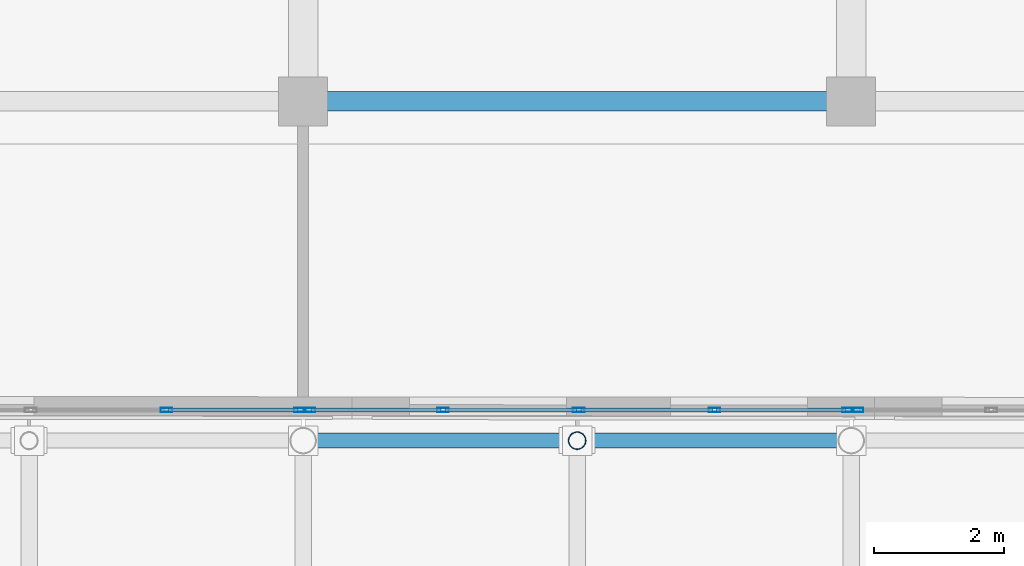
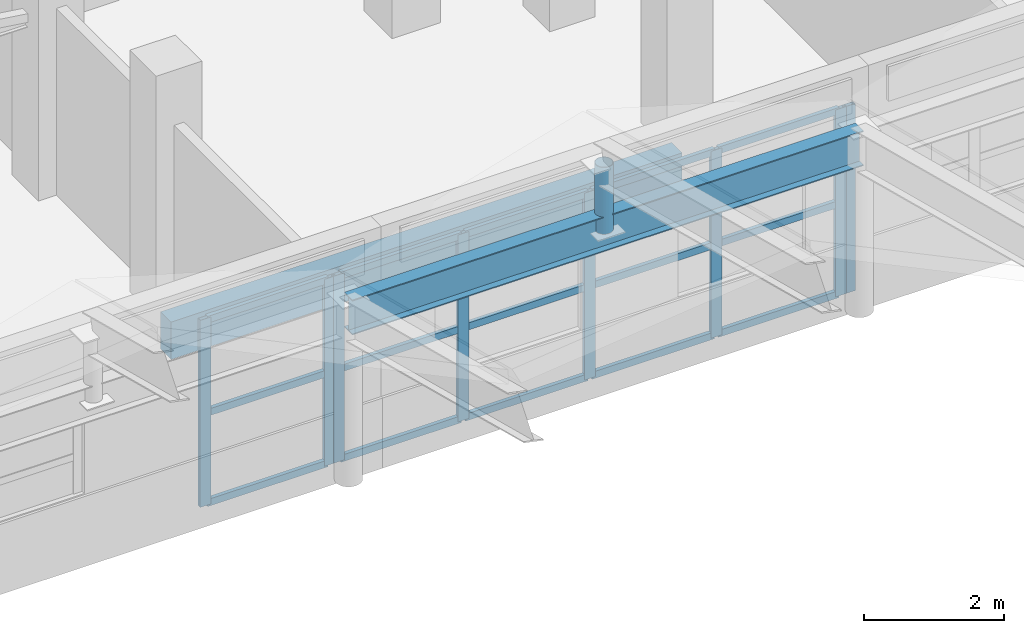
# One storey, part 87 of 184: 24 members, 2 beams, 3 elements without a shape of their own.
"""IFC4 building model written with IfcOpenShell, lengths in metres."""

from ifc_helpers import new_model, si_unit, direction, frame, origin, origin_2d, place, context, subcontext, project, spatial, rectangle, hollow_rectangle, hollow_circle, i_section, extrude, material, material_profile, profile_set, type_object, element, aggregate, save


model = new_model("IFC4")

# Units and contexts
model_context = context("Model", 3, precision=1e-05, world=origin(), true_north=direction((0.0, 1.0)))
body_context = subcontext(model_context, "Body", "Model", "MODEL_VIEW")
ifc_project = project(units=[si_unit("LENGTHUNIT", "METRE"), si_unit("AREAUNIT", "SQUARE_METRE"), si_unit("VOLUMEUNIT", "CUBIC_METRE"), si_unit("PLANEANGLEUNIT", "RADIAN"), si_unit("MASSUNIT", "GRAM", prefix="KILO")], contexts=[model_context])

# Site, building, storey
site_placement = place(None, origin())
site = spatial("IfcSite", under=ifc_project, at=site_placement, CompositionType="ELEMENT")
building_placement = place(site_placement, origin())
building = spatial("IfcBuilding", under=site, at=building_placement, Name="Selatvlak General Hospital", CompositionType="ELEMENT")
storey_placement = place(building_placement, frame((0.0, 0.0, 15.0)))
storey = spatial("IfcBuildingStorey", under=building, at=storey_placement, Name="L03", CompositionType="ELEMENT", Elevation=15.0)

# Beams
ifc_material_1 = material(Name="Steel S355", Category="steel")
ifc_material_profile_1 = material_profile(ifc_material_1, i_section(OverallWidth=0.228271484375, OverallDepth=0.607666015625, WebThickness=0.010986328125, FlangeThickness=0.017333984375, at=origin_2d()), Name="UB 610x229x113")
ifc_profile_set_1 = profile_set([ifc_material_profile_1], Name="Steel S355")
beam_type_1 = type_object("IfcBeamType", Name="BM-RF4", PredefinedType="BEAM", material=ifc_profile_set_1)
beam_1_placement = place(storey_placement, frame((64.800048828125, 83.449951171875, 2.87109375), z_axis=(1.0, 0.0, 0.0), x_axis=(0.0, 1.0, 0.0)))
element("IfcBeam", 1, at=beam_1_placement, inside=storey, type_object=beam_type_1, Name="Folded roof N valley girder 6", PredefinedType="BEAM", context=body_context, shape_type="SweptSolid", body=[
    extrude(i_section(OverallWidth=0.228271484375, OverallDepth=0.607666015625, WebThickness=0.010986328125, FlangeThickness=0.017333984375, at=origin_2d()), origin(), (0.0, 0.0, 1.0), 8.39990234375),
])
ifc_material_2 = material(Name="Concrete C40/50", Category="concrete")
ifc_material_profile_2 = material_profile(ifc_material_2, rectangle(XDim=0.300048828125, YDim=0.64990234375, at=origin_2d()), Name="RC-SP 300x650")
ifc_profile_set_2 = profile_set([ifc_material_profile_2], Name="Concrete C40/50")
beam_type_2 = type_object("IfcBeamType", Name="BM-SP1", PredefinedType="SPANDREL", material=ifc_profile_set_2)
beam_2_placement = place(storey_placement, frame((64.800048828125, 88.64990234375, -0.6650390625), z_axis=(1.0, 0.0, 0.0), x_axis=(0.0, 1.0, 0.0)))
element("IfcBeam", 2, at=beam_2_placement, inside=storey, type_object=beam_type_2, Name="Beam BMR-L03-1188", PredefinedType="SPANDREL", context=body_context, shape_type="SweptSolid", body=[
    extrude(rectangle(XDim=0.300048828125, YDim=0.64990234375, at=origin_2d()), origin(), (0.0, 0.0, 1.0), 8.39990234375),
])

# Curtain wall, members
ifc_material_3 = material(Name="Solar-control Low-E double glazing", Category="glass")
curtain_wall_type = type_object("IfcCurtainWallType", Name="CW-CW-04", PredefinedType="USERDEFINED", material=ifc_material_3)
curtain_wall_1_placement = place(storey_placement, origin())
curtain_wall_1 = element("IfcCurtainWall", 3, at=curtain_wall_1_placement, inside=storey, type_object=curtain_wall_type, Name="Glazed facade curtain wall CW-L03-0720", ObjectType="STICK GLAZING WALL", PredefinedType="USERDEFINED")
ifc_material_4 = material(Name="Dark anodised aluminium mullion", Category="aluminium")
ifc_material_profile_3 = material_profile(ifc_material_4, hollow_rectangle(XDim=0.06494140625, YDim=0.179931640625, WallThickness=0.00439453125, at=origin_2d()), Name="AL-MUL 65x180x4.5")
ifc_profile_set_3 = profile_set([ifc_material_profile_3], Name="Dark anodised aluminium mullion")
member_type_1 = type_object("IfcMemberType", Name="CWM-02", PredefinedType="MULLION", material=ifc_profile_set_3)
member_1_placement = place(storey_placement, frame((62.705078125, 83.919921875, 0.0), z_axis=(0.0, 0.0, 1.0), x_axis=(0.0, 1.0, 0.0)))
member_1 = element("IfcMember", 4, at=member_1_placement, type_object=member_type_1, Name="CW-04 mullion 4", PredefinedType="MULLION", context=body_context, shape_type="SweptSolid", body=[
    extrude(hollow_rectangle(XDim=0.06494140625, YDim=0.179931640625, WallThickness=0.00439453125, at=origin_2d()), origin(), (0.0, 0.0, 1.0), 3.25),
])
member_2_placement = place(storey_placement, frame((64.75244140625, 83.919921875, 0.0), z_axis=(0.0, 0.0, 1.0), x_axis=(0.0, 1.0, 0.0)))
member_2 = element("IfcMember", 5, at=member_2_placement, type_object=member_type_1, Name="CW-04 mullion 5", PredefinedType="MULLION", context=body_context, shape_type="SweptSolid", body=[
    extrude(hollow_rectangle(XDim=0.06494140625, YDim=0.179931640625, WallThickness=0.00439453125, at=origin_2d()), origin(), (0.0, 0.0, 1.0), 3.25),
])

curtain_wall_2_placement = place(storey_placement, origin())
curtain_wall_2 = element("IfcCurtainWall", 6, at=curtain_wall_2_placement, inside=storey, type_object=curtain_wall_type, Name="Glazed facade curtain wall CW-L03-0721", ObjectType="STICK GLAZING WALL", PredefinedType="USERDEFINED")
member_3_placement = place(storey_placement, frame((64.8974609375, 83.919921875, 0.0), z_axis=(0.0, 0.0, 1.0), x_axis=(0.0, 1.0, 0.0)))
member_3 = element("IfcMember", 7, at=member_3_placement, type_object=member_type_1, Name="CW-04 mullion 1", PredefinedType="MULLION", context=body_context, shape_type="SweptSolid", body=[
    extrude(hollow_rectangle(XDim=0.06494140625, YDim=0.179931640625, WallThickness=0.00439453125, at=origin_2d()), origin(), (0.0, 0.0, 1.0), 3.25),
])
member_4_placement = place(storey_placement, frame((66.945068359375, 83.919921875, 0.0), z_axis=(0.0, 0.0, 1.0), x_axis=(0.0, 1.0, 0.0)))
member_4 = element("IfcMember", 8, at=member_4_placement, type_object=member_type_1, Name="CW-04 mullion 2", PredefinedType="MULLION", context=body_context, shape_type="SweptSolid", body=[
    extrude(hollow_rectangle(XDim=0.06494140625, YDim=0.179931640625, WallThickness=0.00439453125, at=origin_2d()), origin(), (0.0, 0.0, 1.0), 3.25),
])
member_5_placement = place(storey_placement, frame((69.02490234375, 83.919921875, 0.0), z_axis=(0.0, 0.0, 1.0), x_axis=(0.0, 1.0, 0.0)))
member_5 = element("IfcMember", 9, at=member_5_placement, type_object=member_type_1, Name="CW-04 mullion 3", PredefinedType="MULLION", context=body_context, shape_type="SweptSolid", body=[
    extrude(hollow_rectangle(XDim=0.06494140625, YDim=0.179931640625, WallThickness=0.00439453125, at=origin_2d()), origin(), (0.0, 0.0, 1.0), 3.25),
])
member_6_placement = place(storey_placement, frame((71.10498046875, 83.919921875, 0.0), z_axis=(0.0, 0.0, 1.0), x_axis=(0.0, 1.0, 0.0)))
member_6 = element("IfcMember", 10, at=member_6_placement, type_object=member_type_1, Name="CW-04 mullion 4", PredefinedType="MULLION", context=body_context, shape_type="SweptSolid", body=[
    extrude(hollow_rectangle(XDim=0.06494140625, YDim=0.179931640625, WallThickness=0.00439453125, at=origin_2d()), origin(), (0.0, 0.0, 1.0), 3.25),
])
member_7_placement = place(storey_placement, frame((73.152587890625, 83.919921875, 0.0), z_axis=(0.0, 0.0, 1.0), x_axis=(0.0, 1.0, 0.0)))
member_7 = element("IfcMember", 11, at=member_7_placement, type_object=member_type_1, Name="CW-04 mullion 5", PredefinedType="MULLION", context=body_context, shape_type="SweptSolid", body=[
    extrude(hollow_rectangle(XDim=0.06494140625, YDim=0.179931640625, WallThickness=0.00439453125, at=origin_2d()), origin(), (0.0, 0.0, 1.0), 3.25),
])

# Curtain wall, member
curtain_wall_3_placement = place(storey_placement, origin())
curtain_wall_3 = element("IfcCurtainWall", 12, at=curtain_wall_3_placement, inside=storey, type_object=curtain_wall_type, Name="Glazed facade curtain wall CW-L03-0722", ObjectType="STICK GLAZING WALL", PredefinedType="USERDEFINED")
member_8_placement = place(storey_placement, frame((73.297607421875, 83.919921875, 0.0), z_axis=(0.0, 0.0, 1.0), x_axis=(0.0, 1.0, 0.0)))
member_8 = element("IfcMember", 13, at=member_8_placement, type_object=member_type_1, Name="CW-04 mullion 1", PredefinedType="MULLION", context=body_context, shape_type="SweptSolid", body=[
    extrude(hollow_rectangle(XDim=0.06494140625, YDim=0.179931640625, WallThickness=0.00439453125, at=origin_2d()), origin(), (0.0, 0.0, 1.0), 3.25),
])
aggregate(curtain_wall_3, [member_8])

# Member
ifc_material_profile_4 = material_profile(ifc_material_4, hollow_rectangle(XDim=0.06494140625, YDim=0.1201171875, WallThickness=0.00390625, at=origin_2d()), Name="AL-TRN 65x120x4")
ifc_profile_set_4 = profile_set([ifc_material_profile_4], Name="Dark anodised aluminium mullion")
member_type_2 = type_object("IfcMemberType", Name="CWT-01", PredefinedType="USERDEFINED", material=ifc_profile_set_4)
member_9_placement = place(storey_placement, frame((62.737548828125, 83.919921875, 0.032470703125), z_axis=(1.0, 0.0, 0.0), x_axis=(0.0, 1.0, 0.0)))
member_9 = element("IfcMember", 14, at=member_9_placement, type_object=member_type_2, Name="CW-04 transom 4.1", ObjectType="TRANSOM", PredefinedType="USERDEFINED", context=body_context, shape_type="SweptSolid", body=[
    extrude(hollow_rectangle(XDim=0.06494140625, YDim=0.1201171875, WallThickness=0.00390625, at=origin_2d()), origin(), (0.0, 0.0, 1.0), 1.982421875),
])

member_10_placement = place(storey_placement, frame((62.737548828125, 83.919921875, 1.60009765625), z_axis=(1.0, 0.0, 0.0), x_axis=(0.0, 1.0, 0.0)))
member_10 = element("IfcMember", 15, at=member_10_placement, type_object=member_type_2, Name="CW-04 transom 4.2", ObjectType="TRANSOM", PredefinedType="USERDEFINED", context=body_context, shape_type="SweptSolid", body=[
    extrude(hollow_rectangle(XDim=0.06494140625, YDim=0.1201171875, WallThickness=0.00390625, at=origin_2d()), origin(), (0.0, 0.0, 1.0), 1.982421875),
])

member_11_placement = place(storey_placement, frame((62.737548828125, 83.919921875, 3.217529296875), z_axis=(1.0, 0.0, 0.0), x_axis=(0.0, 1.0, 0.0)))
member_11 = element("IfcMember", 16, at=member_11_placement, type_object=member_type_2, Name="CW-04 transom 4.3", ObjectType="TRANSOM", PredefinedType="USERDEFINED", context=body_context, shape_type="SweptSolid", body=[
    extrude(hollow_rectangle(XDim=0.06494140625, YDim=0.1201171875, WallThickness=0.00390625, at=origin_2d()), origin(), (0.0, 0.0, 1.0), 1.982421875),
])

aggregate(curtain_wall_1, [member_1, member_2, member_9, member_10, member_11])

member_12_placement = place(storey_placement, frame((64.929931640625, 83.919921875, 0.032470703125), z_axis=(1.0, 0.0, 0.0), x_axis=(0.0, 1.0, 0.0)))
member_12 = element("IfcMember", 17, at=member_12_placement, type_object=member_type_2, Name="CW-04 transom 1.1", ObjectType="TRANSOM", PredefinedType="USERDEFINED", context=body_context, shape_type="SweptSolid", body=[
    extrude(hollow_rectangle(XDim=0.06494140625, YDim=0.1201171875, WallThickness=0.00390625, at=origin_2d()), origin(), (0.0, 0.0, 1.0), 1.982666015625),
])

member_13_placement = place(storey_placement, frame((64.929931640625, 83.919921875, 1.60009765625), z_axis=(1.0, 0.0, 0.0), x_axis=(0.0, 1.0, 0.0)))
member_13 = element("IfcMember", 18, at=member_13_placement, type_object=member_type_2, Name="CW-04 transom 1.2", ObjectType="TRANSOM", PredefinedType="USERDEFINED", context=body_context, shape_type="SweptSolid", body=[
    extrude(hollow_rectangle(XDim=0.06494140625, YDim=0.1201171875, WallThickness=0.00390625, at=origin_2d()), origin(), (0.0, 0.0, 1.0), 1.982666015625),
])

member_14_placement = place(storey_placement, frame((64.929931640625, 83.919921875, 3.217529296875), z_axis=(1.0, 0.0, 0.0), x_axis=(0.0, 1.0, 0.0)))
member_14 = element("IfcMember", 19, at=member_14_placement, type_object=member_type_2, Name="CW-04 transom 1.3", ObjectType="TRANSOM", PredefinedType="USERDEFINED", context=body_context, shape_type="SweptSolid", body=[
    extrude(hollow_rectangle(XDim=0.06494140625, YDim=0.1201171875, WallThickness=0.00390625, at=origin_2d()), origin(), (0.0, 0.0, 1.0), 1.982666015625),
])

member_15_placement = place(storey_placement, frame((66.9775390625, 83.919921875, 0.032470703125), z_axis=(1.0, 0.0, 0.0), x_axis=(0.0, 1.0, 0.0)))
member_15 = element("IfcMember", 20, at=member_15_placement, type_object=member_type_2, Name="CW-04 transom 2.1", ObjectType="TRANSOM", PredefinedType="USERDEFINED", context=body_context, shape_type="SweptSolid", body=[
    extrude(hollow_rectangle(XDim=0.06494140625, YDim=0.1201171875, WallThickness=0.00390625, at=origin_2d()), origin(), (0.0, 0.0, 1.0), 2.014892578125),
])

member_16_placement = place(storey_placement, frame((66.9775390625, 83.919921875, 1.60009765625), z_axis=(1.0, 0.0, 0.0), x_axis=(0.0, 1.0, 0.0)))
member_16 = element("IfcMember", 21, at=member_16_placement, type_object=member_type_2, Name="CW-04 transom 2.2", ObjectType="TRANSOM", PredefinedType="USERDEFINED", context=body_context, shape_type="SweptSolid", body=[
    extrude(hollow_rectangle(XDim=0.06494140625, YDim=0.1201171875, WallThickness=0.00390625, at=origin_2d()), origin(), (0.0, 0.0, 1.0), 2.014892578125),
])

member_17_placement = place(storey_placement, frame((66.9775390625, 83.919921875, 3.217529296875), z_axis=(1.0, 0.0, 0.0), x_axis=(0.0, 1.0, 0.0)))
member_17 = element("IfcMember", 22, at=member_17_placement, type_object=member_type_2, Name="CW-04 transom 2.3", ObjectType="TRANSOM", PredefinedType="USERDEFINED", context=body_context, shape_type="SweptSolid", body=[
    extrude(hollow_rectangle(XDim=0.06494140625, YDim=0.1201171875, WallThickness=0.00390625, at=origin_2d()), origin(), (0.0, 0.0, 1.0), 2.014892578125),
])

member_18_placement = place(storey_placement, frame((69.0576171875, 83.919921875, 0.032470703125), z_axis=(1.0, 0.0, 0.0), x_axis=(0.0, 1.0, 0.0)))
member_18 = element("IfcMember", 23, at=member_18_placement, type_object=member_type_2, Name="CW-04 transom 3.1", ObjectType="TRANSOM", PredefinedType="USERDEFINED", context=body_context, shape_type="SweptSolid", body=[
    extrude(hollow_rectangle(XDim=0.06494140625, YDim=0.1201171875, WallThickness=0.00390625, at=origin_2d()), origin(), (0.0, 0.0, 1.0), 2.014892578125),
])

member_19_placement = place(storey_placement, frame((69.0576171875, 83.919921875, 1.60009765625), z_axis=(1.0, 0.0, 0.0), x_axis=(0.0, 1.0, 0.0)))
member_19 = element("IfcMember", 24, at=member_19_placement, type_object=member_type_2, Name="CW-04 transom 3.2", ObjectType="TRANSOM", PredefinedType="USERDEFINED", context=body_context, shape_type="SweptSolid", body=[
    extrude(hollow_rectangle(XDim=0.06494140625, YDim=0.1201171875, WallThickness=0.00390625, at=origin_2d()), origin(), (0.0, 0.0, 1.0), 2.014892578125),
])

member_20_placement = place(storey_placement, frame((69.0576171875, 83.919921875, 3.217529296875), z_axis=(1.0, 0.0, 0.0), x_axis=(0.0, 1.0, 0.0)))
member_20 = element("IfcMember", 25, at=member_20_placement, type_object=member_type_2, Name="CW-04 transom 3.3", ObjectType="TRANSOM", PredefinedType="USERDEFINED", context=body_context, shape_type="SweptSolid", body=[
    extrude(hollow_rectangle(XDim=0.06494140625, YDim=0.1201171875, WallThickness=0.00390625, at=origin_2d()), origin(), (0.0, 0.0, 1.0), 2.014892578125),
])

member_21_placement = place(storey_placement, frame((71.137451171875, 83.919921875, 0.032470703125), z_axis=(1.0, 0.0, 0.0), x_axis=(0.0, 1.0, 0.0)))
member_21 = element("IfcMember", 26, at=member_21_placement, type_object=member_type_2, Name="CW-04 transom 4.1", ObjectType="TRANSOM", PredefinedType="USERDEFINED", context=body_context, shape_type="SweptSolid", body=[
    extrude(hollow_rectangle(XDim=0.06494140625, YDim=0.1201171875, WallThickness=0.00390625, at=origin_2d()), origin(), (0.0, 0.0, 1.0), 1.982666015625),
])

member_22_placement = place(storey_placement, frame((71.137451171875, 83.919921875, 1.60009765625), z_axis=(1.0, 0.0, 0.0), x_axis=(0.0, 1.0, 0.0)))
member_22 = element("IfcMember", 27, at=member_22_placement, type_object=member_type_2, Name="CW-04 transom 4.2", ObjectType="TRANSOM", PredefinedType="USERDEFINED", context=body_context, shape_type="SweptSolid", body=[
    extrude(hollow_rectangle(XDim=0.06494140625, YDim=0.1201171875, WallThickness=0.00390625, at=origin_2d()), origin(), (0.0, 0.0, 1.0), 1.982666015625),
])

member_23_placement = place(storey_placement, frame((71.137451171875, 83.919921875, 3.217529296875), z_axis=(1.0, 0.0, 0.0), x_axis=(0.0, 1.0, 0.0)))
member_23 = element("IfcMember", 28, at=member_23_placement, type_object=member_type_2, Name="CW-04 transom 4.3", ObjectType="TRANSOM", PredefinedType="USERDEFINED", context=body_context, shape_type="SweptSolid", body=[
    extrude(hollow_rectangle(XDim=0.06494140625, YDim=0.1201171875, WallThickness=0.00390625, at=origin_2d()), origin(), (0.0, 0.0, 1.0), 1.982666015625),
])

aggregate(curtain_wall_2, [member_3, member_4, member_5, member_6, member_7, member_12, member_13, member_14, member_15, member_16, member_17, member_18, member_19, member_20, member_21, member_22, member_23])

ifc_material_profile_5 = material_profile(ifc_material_1, hollow_circle(Radius=0.136474609375, WallThickness=0.010009765625, at=origin_2d()), Name="CHS 273.0x10")
ifc_profile_set_5 = profile_set([ifc_material_profile_5], Name="Steel S355")
member_type_3 = type_object("IfcMemberType", Name="MEM-ST1", PredefinedType="STRUT", material=ifc_profile_set_5)
member_24_placement = place(storey_placement, frame((69.0, 83.449951171875, 2.87109375), z_axis=(0.0, 0.0, 1.0), x_axis=(1.0, 0.0, 0.0)))
element("IfcMember", 29, at=member_24_placement, inside=storey, type_object=member_type_3, Name="Folded roof ridge kingpost N-11", PredefinedType="STRUT", context=body_context, shape_type="SweptSolid", body=[
    extrude(hollow_circle(Radius=0.136474609375, WallThickness=0.010009765625, at=origin_2d()), origin(), (0.0, 0.0, 1.0), 1.161865234375),
])

save(model, "model.ifc")
